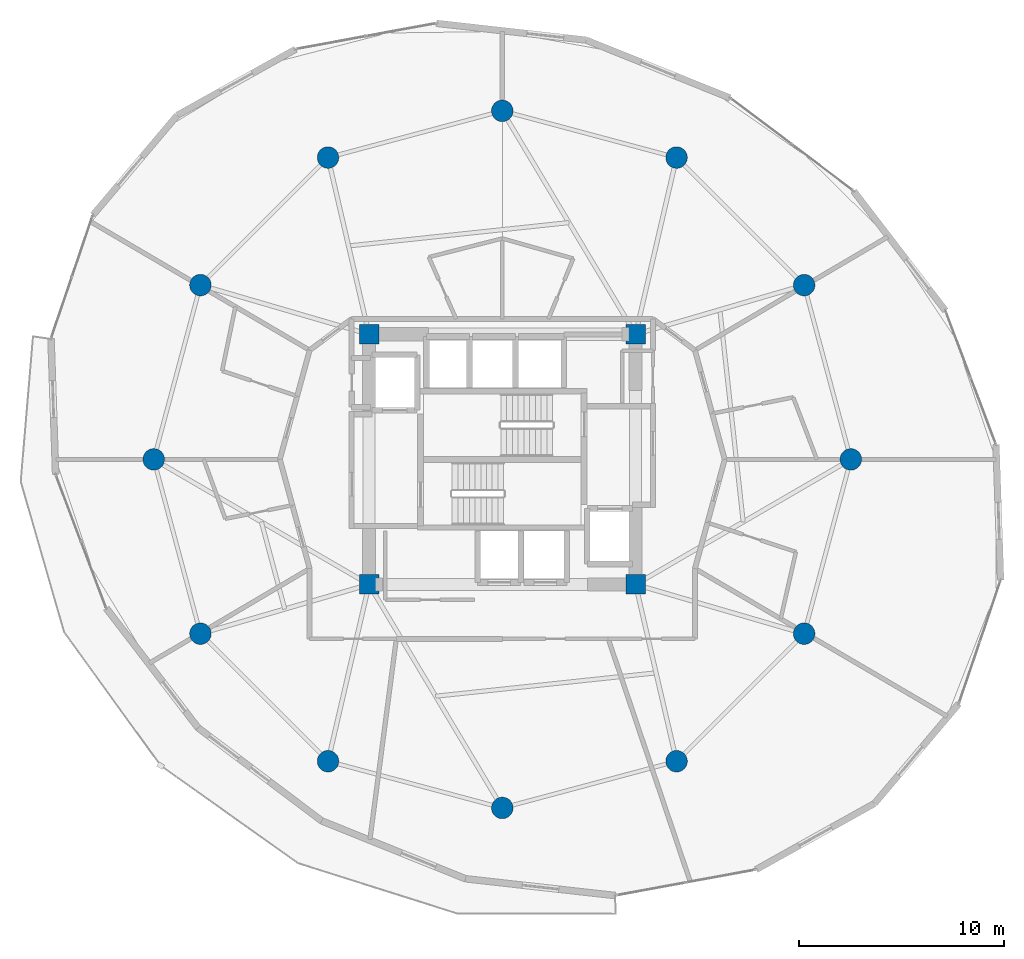
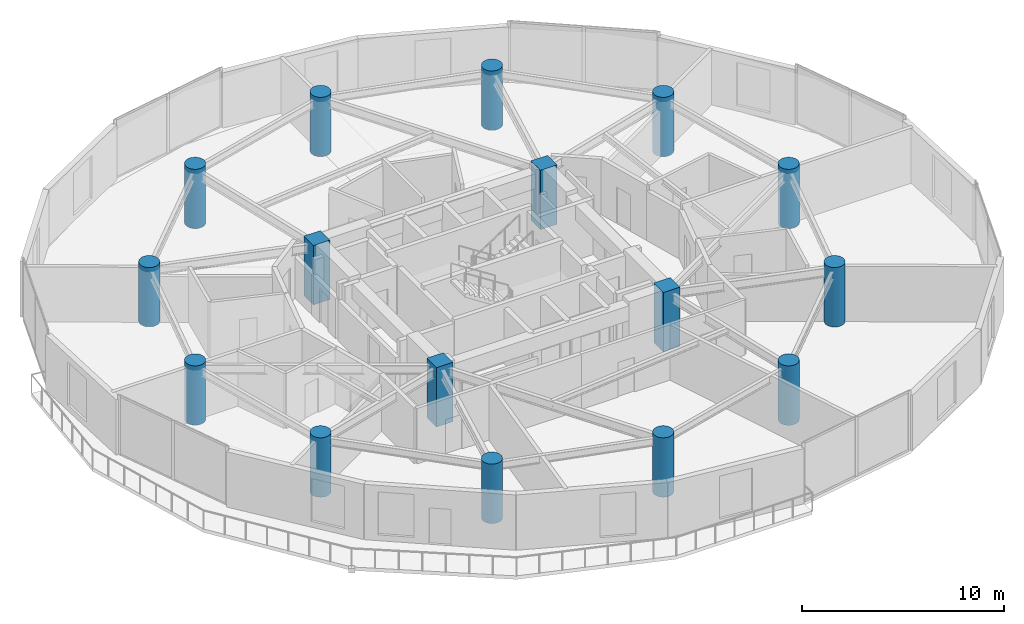
# One storey, part 1 of 25: 16 columns.
"""IFC4 building model written with IfcOpenShell, lengths in metres."""

from ifc_helpers import new_model, si_unit, direction, frame, origin, origin_2d, place, context, subcontext, project, spatial, rectangle, circle, extrude, material, material_profile, profile_set, type_object, element, save


model = new_model("IFC4")

# Units and contexts
model_context = context("Model", 3, precision=1e-05, world=origin(), true_north=direction((0.0, 1.0)))
body_context = subcontext(model_context, "Body", "Model", "MODEL_VIEW")
ifc_project = project(units=[si_unit("LENGTHUNIT", "METRE"), si_unit("AREAUNIT", "SQUARE_METRE"), si_unit("VOLUMEUNIT", "CUBIC_METRE"), si_unit("PLANEANGLEUNIT", "RADIAN"), si_unit("MASSUNIT", "GRAM", prefix="KILO")], contexts=[model_context])

# Site, building, storey
site_placement = place(None, origin())
site = spatial("IfcSite", under=ifc_project, at=site_placement, CompositionType="ELEMENT")
building_placement = place(site_placement, origin())
building = spatial("IfcBuilding", under=site, at=building_placement, Name="Solvirekh Grand Hotel", CompositionType="ELEMENT")
storey_placement = place(building_placement, frame((0.0, 0.0, 102.60009765625)))
storey = spatial("IfcBuildingStorey", under=building, at=storey_placement, Name="L25", CompositionType="ELEMENT", Elevation=102.60009765625)

# Columns
ifc_material = material(Name="Concrete C50/60", Category="concrete")
ifc_material_profile_1 = material_profile(ifc_material, rectangle(XDim=0.949951171875, YDim=0.949951171875, at=origin_2d()), Name="RC 950X950")
ifc_profile_set_1 = profile_set([ifc_material_profile_1], Name="Concrete C50/60")
column_type_1 = type_object("IfcColumnType", Name="Col_Core_950", PredefinedType="COLUMN", material=ifc_profile_set_1)
for number, where, z_axis, x_axis, name in (
    (1, (-6.5, -6.10009765625, 0.0), (0.0, 0.0, 1.0), (1.0, 0.0, 0.0), "L25 core corner column CC1"),
    (2, (6.5, -6.10009765625, 0.0), (0.0, 0.0, 1.0), (1.0, 0.0, 0.0), "L25 core corner column CC2"),
    (3, (6.5, 6.10009765625, 0.0), (0.0, 0.0, 1.0), (1.0, 0.0, 0.0), "L25 core corner column CC3"),
    (4, (-6.5, 6.10009765625, 0.0), (0.0, 0.0, 1.0), (1.0, 0.0, 0.0), "L25 core corner column CC4"),
):
    element("IfcColumn", number, at=place(storey_placement, frame(where, z_axis=z_axis, x_axis=x_axis)), inside=storey, type_object=column_type_1, Name=name, PredefinedType="COLUMN", context=body_context, shape_type="SweptSolid", body=[
        extrude(rectangle(XDim=0.949951171875, YDim=0.949951171875, at=origin_2d()), origin(), (0.0, 0.0, 1.0), 3.599853515625),
    ])
ifc_material_profile_2 = material_profile(ifc_material, circle(Radius=0.52490234375, at=origin_2d()), Name="RC CIRC D1050")
ifc_profile_set_2 = profile_set([ifc_material_profile_2], Name="Concrete C50/60")
column_type_2 = type_object("IfcColumnType", Name="Col_Z2_D1050", PredefinedType="COLUMN", material=ifc_profile_set_2)
for number, where, z_axis, x_axis, name in (
    (5, (17.0, 0.0, 0.0), (0.0, 0.0, 1.0), (1.0, 0.0, 0.0), "L25 perimeter column P01"),
    (6, (14.721923828125, 8.5, 0.0), (0.0, 0.0, 1.0), (1.0, 0.0, 0.0), "L25 perimeter column P02"),
    (7, (8.5, 14.721923828125, 0.0), (0.0, 0.0, 1.0), (1.0, 0.0, 0.0), "L25 perimeter column P03"),
    (8, (0.0, 17.0, 0.0), (0.0, 0.0, 1.0), (1.0, 0.0, 0.0), "L25 perimeter column P04"),
    (9, (-8.5, 14.721923828125, 0.0), (0.0, 0.0, 1.0), (1.0, 0.0, 0.0), "L25 perimeter column P05"),
    (10, (-14.721923828125, 8.5, 0.0), (0.0, 0.0, 1.0), (1.0, 0.0, 0.0), "L25 perimeter column P06"),
    (11, (-17.0, 0.0, 0.0), (0.0, 0.0, 1.0), (1.0, 0.0, 0.0), "L25 perimeter column P07"),
    (12, (-14.721923828125, -8.5, 0.0), (0.0, 0.0, 1.0), (1.0, 0.0, 0.0), "L25 perimeter column P08"),
    (13, (-8.5, -14.721923828125, 0.0), (0.0, 0.0, 1.0), (1.0, 0.0, 0.0), "L25 perimeter column P09"),
    (14, (0.0, -17.0, 0.0), (0.0, 0.0, 1.0), (1.0, 0.0, 0.0), "L25 perimeter column P10"),
    (15, (8.5, -14.721923828125, 0.0), (0.0, 0.0, 1.0), (1.0, 0.0, 0.0), "L25 perimeter column P11"),
    (16, (14.721923828125, -8.5, 0.0), (0.0, 0.0, 1.0), (1.0, 0.0, 0.0), "L25 perimeter column P12"),
):
    element("IfcColumn", number, at=place(storey_placement, frame(where, z_axis=z_axis, x_axis=x_axis)), inside=storey, type_object=column_type_2, Name=name, PredefinedType="COLUMN", context=body_context, shape_type="SweptSolid", body=[
        extrude(circle(Radius=0.52490234375, at=origin_2d()), origin(), (0.0, 0.0, 1.0), 3.599853515625),
    ])

save(model, "model.ifc")
